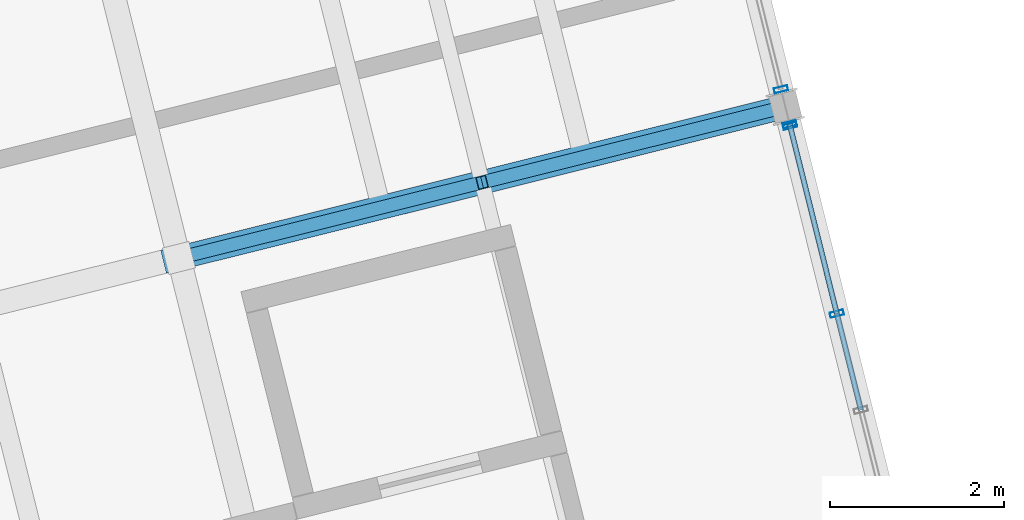
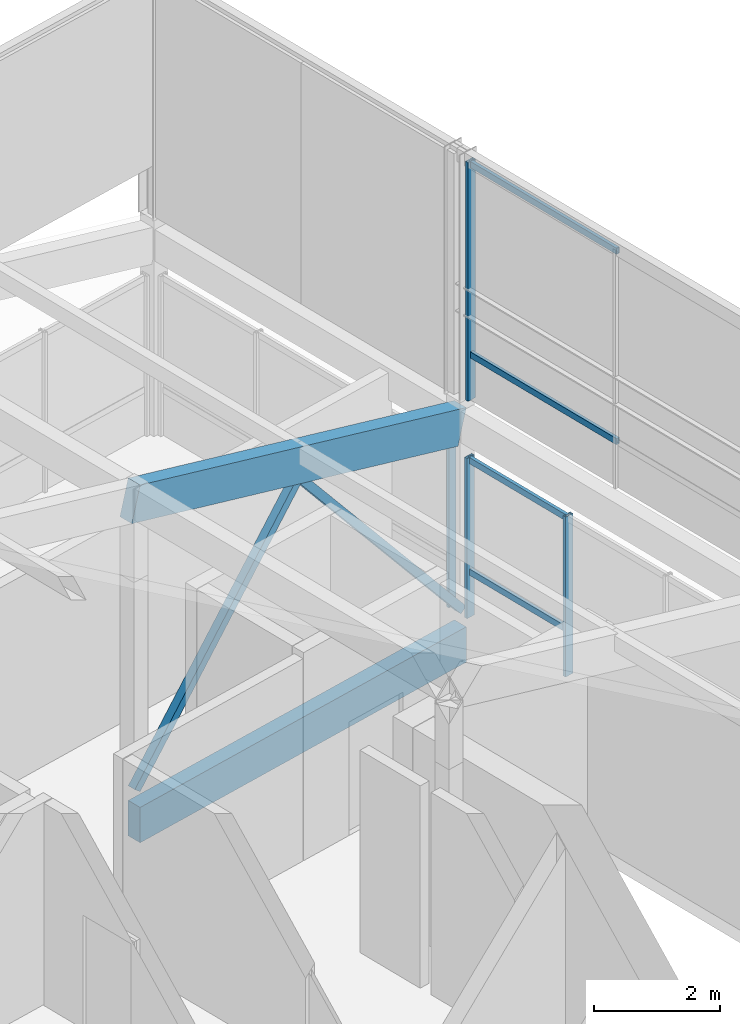
# One storey, part 22 of 31: 10 members, 2 beams, 3 elements without a shape of their own.
"""IFC4 building model written with IfcOpenShell, lengths in metres."""

from ifc_helpers import new_model, si_unit, direction, frame, origin, origin_2d, place, context, subcontext, project, spatial, rectangle, hollow_rectangle, extrude, material, layer, layer_set, material_profile, profile_set, type_object, element, aggregate, save


model = new_model("IFC4")

# Units and contexts
model_context = context("Model", 3, precision=1e-05, world=origin(), true_north=direction((0.0, 1.0)))
body_context = subcontext(model_context, "Body", "Model", "MODEL_VIEW")
ifc_project = project(units=[si_unit("LENGTHUNIT", "METRE"), si_unit("AREAUNIT", "SQUARE_METRE"), si_unit("VOLUMEUNIT", "CUBIC_METRE"), si_unit("PLANEANGLEUNIT", "RADIAN"), si_unit("MASSUNIT", "GRAM", prefix="KILO")], contexts=[model_context])

# Site, building, storey
site_placement = place(None, origin())
site = spatial("IfcSite", under=ifc_project, at=site_placement, CompositionType="ELEMENT")
building_placement = place(site_placement, origin())
building = spatial("IfcBuilding", under=site, at=building_placement, Name="Meriwether Solvik Hall", CompositionType="ELEMENT")
storey_placement = place(building_placement, frame((0.0, 0.0, 61.199951171875)))
storey = spatial("IfcBuildingStorey", under=building, at=storey_placement, Name="L15", CompositionType="ELEMENT", Elevation=61.199951171875)

# Beams
ifc_material_1 = material(Name="Glulam Douglas-Fir 24F-V8 GL28h", Category="wood")
ifc_material_profile_1 = material_profile(ifc_material_1, rectangle(XDim=0.27294921875, YDim=0.68505859375, at=origin_2d()), Name="GLB-273X685")
ifc_profile_set_1 = profile_set([ifc_material_profile_1], Name="Glulam Douglas-Fir 24F-V8 GL28h")
beam_type = type_object("IfcBeamType", Name="BM-GL-273X685", PredefinedType="BEAM", material=ifc_profile_set_1)
beam_1_placement = place(storey_placement, frame((84.8662109375, 66.8984375, -0.58740234375), z_axis=(0.970291911955, 0.241937193493, 0.0), x_axis=(-0.241937193493, 0.970291911955, 0.0)))
element("IfcBeam", 1, at=beam_1_placement, inside=storey, type_object=beam_type, Name="Tower Girder TD:T4-T5 (L15)", PredefinedType="BEAM", context=body_context, shape_type="SweptSolid", body=[
    extrude(rectangle(XDim=0.27294921875, YDim=0.68505859375, at=origin_2d()), origin(), (0.0, 0.0, 1.0), 7.199951171875),
])
beam_2_placement = place(storey_placement, frame((84.777099609375, 66.876220703125, 5.674072265625), z_axis=(0.934897579851, 0.233103656424, -0.267636321433), x_axis=(-0.241929233735, 0.970293896644, 0.0)))
element("IfcBeam", 2, at=beam_2_placement, inside=storey, type_object=beam_type, Name="Sloped Roof Rafter TD:T4-T5", PredefinedType="BEAM", context=body_context, shape_type="SweptSolid", body=[
    extrude(rectangle(XDim=0.27294921875, YDim=0.68505859375, at=origin_2d()), origin(), (0.0, 0.0, 1.0), 7.472900390625),
])

# Curtain wall, members
ifc_material_2 = material(Name="Thermally Broken Anodised Aluminium 6063-T6 and Low-E Glass", Category="aluminium")
ifc_layer_1 = layer(ifc_material_2, 0.179931640625)
ifc_layer_set_1 = layer_set([ifc_layer_1], Name="Thermally Broken Anodised Aluminium 6063-T6 and Low-E Glass")
curtain_wall_type_1 = type_object("IfcCurtainWallType", Name="CW-UNIT-B", PredefinedType="USERDEFINED", material=ifc_layer_set_1)
curtain_wall_1_placement = place(storey_placement, origin())
curtain_wall_1 = element("IfcCurtainWall", 3, at=curtain_wall_1_placement, inside=storey, type_object=curtain_wall_type_1, Name="Curtain Wall E1_B2 (L15)", ObjectType="UNITISED CURTAIN WALL", PredefinedType="USERDEFINED")
ifc_material_3 = material(Name="Anodised Aluminium 6063-T6", Category="aluminium")
ifc_material_profile_2 = material_profile(ifc_material_3, hollow_rectangle(XDim=0.06005859375, YDim=0.159912109375, WallThickness=0.00390625, at=origin_2d()), Name="CWM-60X160")
ifc_profile_set_2 = profile_set([ifc_material_profile_2], Name="Anodised Aluminium 6063-T6")
member_type_1 = type_object("IfcMemberType", Name="CW-MUL-60X160", PredefinedType="MULLION", material=ifc_profile_set_2)
member_1_placement = place(storey_placement, frame((91.902587890625, 68.43896484375, 0.0), z_axis=(0.0, 0.0, 1.0), x_axis=(0.241921877598, -0.970295730764, 0.0)))
member_1 = element("IfcMember", 4, at=member_1_placement, type_object=member_type_1, Name="Curtain Wall Mullion 1", PredefinedType="MULLION", context=body_context, shape_type="SweptSolid", body=[
    extrude(hollow_rectangle(XDim=0.06005859375, YDim=0.159912109375, WallThickness=0.00390625, at=origin_2d()), origin(), (0.0, 0.0, 1.0), 3.10205078125),
])
member_2_placement = place(storey_placement, frame((92.446533203125, 66.2568359375, 0.0), z_axis=(0.0, 0.0, 1.0), x_axis=(0.241921877598, -0.970295730764, 0.0)))
member_2 = element("IfcMember", 5, at=member_2_placement, type_object=member_type_1, Name="Curtain Wall Mullion 2", PredefinedType="MULLION", context=body_context, shape_type="SweptSolid", body=[
    extrude(hollow_rectangle(XDim=0.06005859375, YDim=0.159912109375, WallThickness=0.00390625, at=origin_2d()), origin(), (0.0, 0.0, 1.0), 3.10205078125),
])

# Curtain wall, member
ifc_material_4 = material(Name="Thermally Broken Anodised Aluminium 6063-T6 and Low-E Glass", Category="aluminium")
ifc_layer_2 = layer(ifc_material_4, 0.179931640625)
ifc_layer_set_2 = layer_set([ifc_layer_2], Name="Thermally Broken Anodised Aluminium 6063-T6 and Low-E Glass")
curtain_wall_type_2 = type_object("IfcCurtainWallType", Name="CW-UNIT-C", PredefinedType="USERDEFINED", material=ifc_layer_set_2)
curtain_wall_2_placement = place(storey_placement, origin())
curtain_wall_2 = element("IfcCurtainWall", 6, at=curtain_wall_2_placement, inside=storey, type_object=curtain_wall_type_2, Name="Curtain Wall E1_B3 (L15)", ObjectType="UNITISED CURTAIN WALL", PredefinedType="USERDEFINED")
member_3_placement = place(storey_placement, frame((91.802001953125, 68.841552734375, 0.0), z_axis=(0.0, 0.0, 1.0), x_axis=(0.241921925524, -0.970295718815, 0.0)))
member_3 = element("IfcMember", 7, at=member_3_placement, type_object=member_type_1, Name="Curtain Wall Mullion 4", PredefinedType="MULLION", context=body_context, shape_type="SweptSolid", body=[
    extrude(hollow_rectangle(XDim=0.06005859375, YDim=0.159912109375, WallThickness=0.00390625, at=origin_2d()), origin(), (0.0, 0.0, 1.0), 3.10205078125),
])
aggregate(curtain_wall_2, [member_3])

ifc_material_5 = material(Name="Thermally Broken Anodised Aluminium 6063-T6 and Low-E Glass", Category="aluminium")
ifc_layer_3 = layer(ifc_material_5, 0.179931640625)
ifc_layer_set_3 = layer_set([ifc_layer_3], Name="Thermally Broken Anodised Aluminium 6063-T6 and Low-E Glass")
curtain_wall_type_3 = type_object("IfcCurtainWallType", Name="CW-CROWN-GL", PredefinedType="USERDEFINED", material=ifc_layer_set_3)
curtain_wall_3_placement = place(storey_placement, origin())
curtain_wall_3 = element("IfcCurtainWall", 8, at=curtain_wall_3_placement, inside=storey, type_object=curtain_wall_type_3, Name="Curtain Wall crown_E_3 (L15)", ObjectType="UNITISED CURTAIN WALL", PredefinedType="USERDEFINED")
member_4_placement = place(storey_placement, frame((91.907470703125, 68.419189453125, 4.219970703125), z_axis=(0.0, 0.0, 1.0), x_axis=(-0.241922500343, 0.970295575496, 0.0)))
member_4 = element("IfcMember", 9, at=member_4_placement, type_object=member_type_1, Name="Curtain Wall Mullion 3", PredefinedType="MULLION", context=body_context, shape_type="SweptSolid", body=[
    extrude(hollow_rectangle(XDim=0.06005859375, YDim=0.159912109375, WallThickness=0.00390625, at=origin_2d()), origin(), (0.0, 0.0, 1.0), 4.630126953125),
])

# Member
ifc_material_6 = material(Name="Anodised Aluminium 6063-T6", Category="aluminium")
ifc_material_profile_3 = material_profile(ifc_material_6, hollow_rectangle(XDim=0.06005859375, YDim=0.1201171875, WallThickness=0.00390625, at=origin_2d()), Name="CWT-60X120")
ifc_profile_set_3 = profile_set([ifc_material_profile_3], Name="Anodised Aluminium 6063-T6")
member_type_2 = type_object("IfcMemberType", Name="CW-TRN-60X120", PredefinedType="USERDEFINED", material=ifc_profile_set_3)
member_5_placement = place(storey_placement, frame((91.902587890625, 68.43896484375, 0.880126953125), z_axis=(0.241871437108, -0.970308305597, 0.0), x_axis=(0.970308305597, 0.241871437108, 0.0)))
member_5 = element("IfcMember", 10, at=member_5_placement, type_object=member_type_2, Name="Curtain Wall Transom 1-sill", ObjectType="TRANSOM", PredefinedType="USERDEFINED", context=body_context, shape_type="SweptSolid", body=[
    extrude(hollow_rectangle(XDim=0.06005859375, YDim=0.1201171875, WallThickness=0.00390625, at=origin_2d()), origin(), (0.0, 0.0, 1.0), 2.2490234375),
])

member_6_placement = place(storey_placement, frame((91.902587890625, 68.43896484375, 3.0419921875), z_axis=(0.241871437108, -0.970308305597, 0.0), x_axis=(0.970308305597, 0.241871437108, 0.0)))
member_6 = element("IfcMember", 11, at=member_6_placement, type_object=member_type_2, Name="Curtain Wall Transom 1-head", ObjectType="TRANSOM", PredefinedType="USERDEFINED", context=body_context, shape_type="SweptSolid", body=[
    extrude(hollow_rectangle(XDim=0.06005859375, YDim=0.1201171875, WallThickness=0.00390625, at=origin_2d()), origin(), (0.0, 0.0, 1.0), 2.2490234375),
])

aggregate(curtain_wall_1, [member_1, member_2, member_5, member_6])

member_7_placement = place(storey_placement, frame((92.72314453125, 65.147216796875, 5.10009765625), z_axis=(-0.241888230321, 0.970304119352, 0.0), x_axis=(-0.970304119352, -0.241888230321, 0.0)))
member_7 = element("IfcMember", 12, at=member_7_placement, type_object=member_type_2, Name="Curtain Wall Transom 2-sill", ObjectType="TRANSOM", PredefinedType="USERDEFINED", context=body_context, shape_type="SweptSolid", body=[
    extrude(hollow_rectangle(XDim=0.06005859375, YDim=0.1201171875, WallThickness=0.00390625, at=origin_2d()), origin(), (0.0, 0.0, 1.0), 3.3720703125),
])

member_8_placement = place(storey_placement, frame((92.72314453125, 65.147216796875, 8.7900390625), z_axis=(-0.241888230321, 0.970304119352, 0.0), x_axis=(-0.970304119352, -0.241888230321, 0.0)))
member_8 = element("IfcMember", 13, at=member_8_placement, type_object=member_type_2, Name="Curtain Wall Transom 2-head", ObjectType="TRANSOM", PredefinedType="USERDEFINED", context=body_context, shape_type="SweptSolid", body=[
    extrude(hollow_rectangle(XDim=0.06005859375, YDim=0.1201171875, WallThickness=0.00390625, at=origin_2d()), origin(), (0.0, 0.0, 1.0), 3.3720703125),
])

aggregate(curtain_wall_3, [member_4, member_7, member_8])

# Members
ifc_material_7 = material(Name="Steel A500 Grade C", Category="steel")
ifc_material_profile_4 = material_profile(ifc_material_7, hollow_rectangle(XDim=0.152099609375, YDim=0.152099609375, WallThickness=0.009521484375, at=origin_2d()), Name="HSS152X152X9.5")
ifc_profile_set_4 = profile_set([ifc_material_profile_4], Name="Steel A500 Grade C")
member_type_3 = type_object("IfcMemberType", Name="MEM-BR-HSS152", PredefinedType="BRACE", material=ifc_profile_set_4)
for number, where, z_axis, x_axis, name in (
    (14, (84.8662109375, 66.8984375, 0.050048828125), (0.622076774371, 0.155138738447, 0.767432380488), (-0.241977078005, 0.97028196609, 0.0), "Tower Chevron Brace L15-B4A"),
    (15, (91.852294921875, 68.640380859375, 0.050048828125), (-0.622107623421, -0.155092108802, 0.767416798531), (0.241897310542, -0.970301855688, 0.0), "Tower Chevron Brace L15-B4B"),
):
    element("IfcMember", number, at=place(storey_placement, frame(where, z_axis=z_axis, x_axis=x_axis)), inside=storey, type_object=member_type_3, Name=name, PredefinedType="BRACE", context=body_context, shape_type="SweptSolid", body=[
        extrude(hollow_rectangle(XDim=0.152099609375, YDim=0.152099609375, WallThickness=0.009521484375, at=origin_2d()), origin(), (0.0, 0.0, 1.0), 5.614990234375),
    ])

save(model, "model.ifc")
